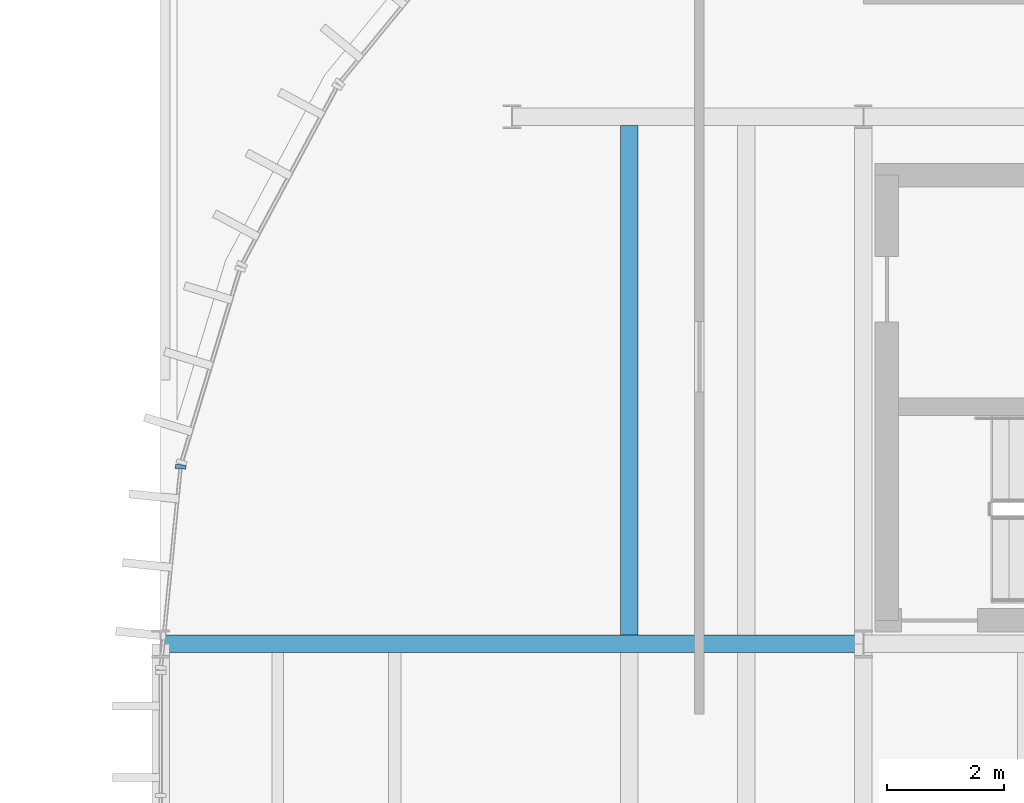
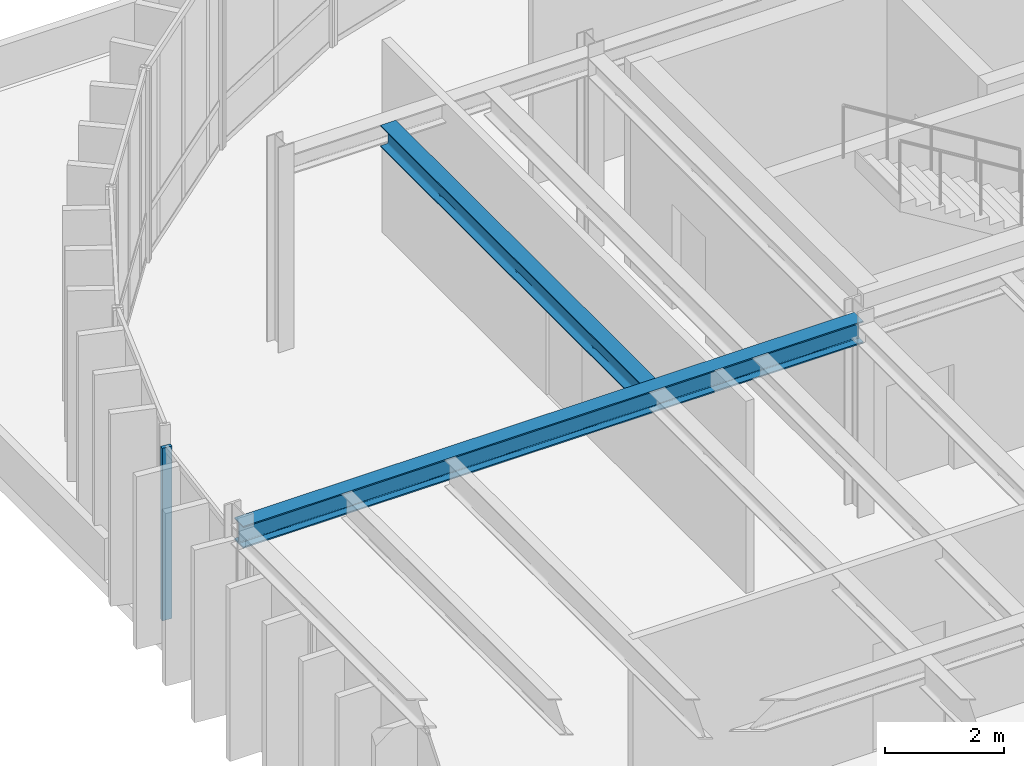
# One storey, part 10 of 69: 2 beams, 1 member, 1 element without a shape of its own.
"""IFC4 building model written with IfcOpenShell, lengths in metres."""

from ifc_helpers import new_model, si_unit, direction, frame, origin, origin_2d, place, context, subcontext, project, spatial, rectangle, i_section, extrude, material, layer, layer_set, material_profile, profile_set, type_object, element, aggregate, save


model = new_model("IFC4")

# Units and contexts
model_context = context("Model", 3, precision=1e-05, world=origin(), true_north=direction((0.0, 1.0)))
body_context = subcontext(model_context, "Body", "Model", "MODEL_VIEW")
ifc_project = project(units=[si_unit("LENGTHUNIT", "METRE"), si_unit("AREAUNIT", "SQUARE_METRE"), si_unit("VOLUMEUNIT", "CUBIC_METRE"), si_unit("PLANEANGLEUNIT", "RADIAN"), si_unit("MASSUNIT", "GRAM", prefix="KILO")], contexts=[model_context])

# Site, building, storey
site_placement = place(None, origin())
site = spatial("IfcSite", under=ifc_project, at=site_placement, CompositionType="ELEMENT")
building_placement = place(site_placement, origin())
building = spatial("IfcBuilding", under=site, at=building_placement, Name="Montealbar Specialist Clinic", CompositionType="ELEMENT")
storey_placement = place(building_placement, frame((0.0, 0.0, 9.60009765625)))
storey = spatial("IfcBuildingStorey", under=building, at=storey_placement, Name="L02", CompositionType="ELEMENT", Elevation=9.60009765625)

# Beams
ifc_material_1 = material(Name="Steel S355", Category="steel")
ifc_material_profile_1 = material_profile(ifc_material_1, i_section(OverallWidth=0.300048828125, OverallDepth=0.449951171875, WebThickness=0.013916015625, FlangeThickness=0.02587890625, FilletRadius=0.027099609375, at=origin_2d()), Name="HEB 450", Category="steel")
ifc_profile_set_1 = profile_set([ifc_material_profile_1], Name="Steel S355")
beam_type_1 = type_object("IfcBeamType", Name="BM-GIRD-HEB450", PredefinedType="BEAM", material=ifc_profile_set_1)
beam_1_placement = place(storey_placement, frame((54.0, 27.0, 3.704833984375), z_axis=(1.0, 0.0, 0.0), x_axis=(0.0, 1.0, 0.0)))
element("IfcBeam", 1, at=beam_1_placement, inside=storey, type_object=beam_type_1, Name="Beam GX-L02-540-660-270", PredefinedType="BEAM", context=body_context, shape_type="SweptSolid", body=[
    extrude(i_section(OverallWidth=0.300048828125, OverallDepth=0.449951171875, WebThickness=0.013916015625, FlangeThickness=0.02587890625, FilletRadius=0.027099609375, at=origin_2d()), origin(), (0.0, 0.0, 1.0), 12.0),
])
ifc_material_profile_2 = material_profile(ifc_material_1, i_section(OverallWidth=0.300048828125, OverallDepth=0.43994140625, WebThickness=0.011474609375, FlangeThickness=0.02099609375, FilletRadius=0.027099609375, at=origin_2d()), Name="HEA 450", Category="steel")
ifc_profile_set_2 = profile_set([ifc_material_profile_2], Name="Steel S355")
beam_type_2 = type_object("IfcBeamType", Name="BM-JST-HEA450", PredefinedType="JOIST", material=ifc_profile_set_2)
beam_2_placement = place(storey_placement, frame((62.0, 27.14990234375, 3.7099609375), z_axis=(0.0, 1.0, 0.0), x_axis=(-1.0, 0.0, 0.0)))
element("IfcBeam", 2, at=beam_2_placement, inside=storey, type_object=beam_type_2, Name="Beam JST-L02-620-272-358", PredefinedType="JOIST", context=body_context, shape_type="SweptSolid", body=[
    extrude(i_section(OverallWidth=0.300048828125, OverallDepth=0.43994140625, WebThickness=0.011474609375, FlangeThickness=0.02099609375, FilletRadius=0.027099609375, at=origin_2d()), origin(), (0.0, 0.0, 1.0), 8.7001953125),
])

# Curtain wall, member
ifc_material_2 = material(Name="Low-E double glazing", Category="glass")
ifc_layer = layer(ifc_material_2, 0.199951171875, Name="Low-E double glazing", Category="glass")
ifc_layer_set = layer_set([ifc_layer], Name="Low-E double glazing")
curtain_wall_type = type_object("IfcCurtainWallType", Name="CW-TYPE-15", PredefinedType="NOTDEFINED", material=ifc_layer_set)
curtain_wall_placement = place(storey_placement, origin())
curtain_wall = element("IfcCurtainWall", 3, at=curtain_wall_placement, inside=storey, type_object=curtain_wall_type, Name="Unitised Curtain Wall CW-L02-540-266-543-301-96", PredefinedType="NOTDEFINED")
ifc_material_3 = material(Name="Anodised aluminium EN AW-6063", Category="aluminium")
ifc_material_profile_3 = material_profile(ifc_material_3, rectangle(XDim=0.070068359375, YDim=0.179931640625, at=origin_2d()), Name="ALU 70x180", Category="aluminium")
ifc_profile_set_3 = profile_set([ifc_material_profile_3], Name="Anodised aluminium EN AW-6063")
member_type = type_object("IfcMemberType", Name="CW-MUL-200", PredefinedType="MULLION", material=ifc_profile_set_3)
member_placement = place(storey_placement, frame((54.342041015625, 30.02197265625, 0.0), z_axis=(0.0, 0.0, 1.0), x_axis=(0.098044697094, 0.995182012183, 0.0)))
member = element("IfcMember", 4, at=member_placement, type_object=member_type, Name="Curtain Wall Mullion CW-L02-540-266-543-301-96-01", PredefinedType="MULLION", context=body_context, shape_type="SweptSolid", body=[
    extrude(rectangle(XDim=0.070068359375, YDim=0.179931640625, at=origin_2d()), origin(), (0.0, 0.0, 1.0), 3.52978515625),
])
aggregate(curtain_wall, [member])

save(model, "model.ifc")
